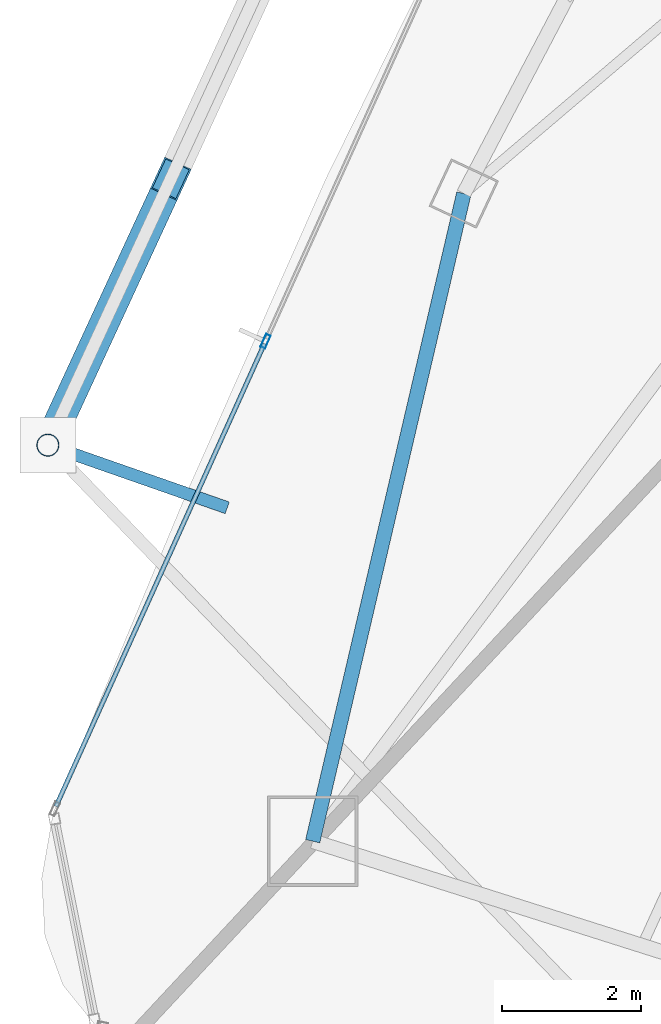
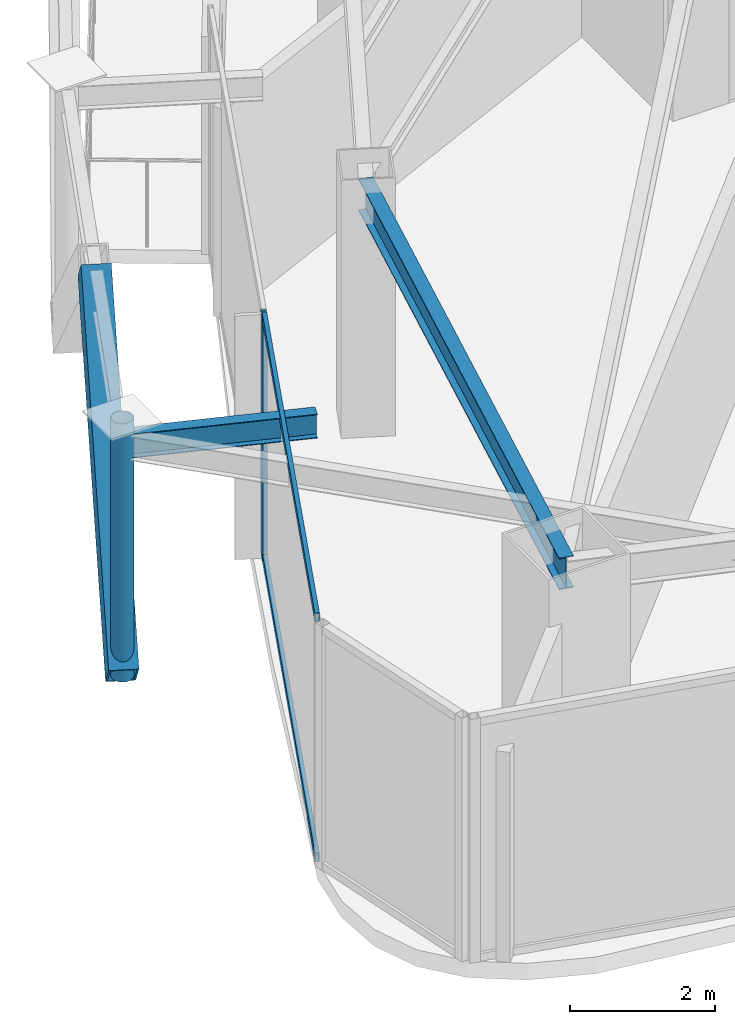
# One storey, part 4 of 25: 5 members, 2 beams, 1 element without a shape of its own.
"""IFC4 building model written with IfcOpenShell, lengths in metres."""

from ifc_helpers import new_model, si_unit, direction, frame, origin, origin_2d, place, context, subcontext, project, spatial, hollow_rectangle, hollow_circle, i_section, extrude, material, layer, layer_set, material_profile, profile_set, type_object, element, aggregate, save


model = new_model("IFC4")

# Units and contexts
model_context = context("Model", 3, precision=1e-05, world=origin(), true_north=direction((0.0, 1.0)))
body_context = subcontext(model_context, "Body", "Model", "MODEL_VIEW")
ifc_project = project(units=[si_unit("LENGTHUNIT", "METRE"), si_unit("AREAUNIT", "SQUARE_METRE"), si_unit("VOLUMEUNIT", "CUBIC_METRE"), si_unit("PLANEANGLEUNIT", "RADIAN"), si_unit("MASSUNIT", "GRAM", prefix="KILO")], contexts=[model_context])

# Site, building, storey
site_placement = place(None, origin())
site = spatial("IfcSite", under=ifc_project, at=site_placement, CompositionType="ELEMENT")
building_placement = place(site_placement, origin())
building = spatial("IfcBuilding", under=site, at=building_placement, Name="Orvanel Arch Residences", CompositionType="ELEMENT")
storey_placement = place(building_placement, frame((0.0, 0.0, 236.0)))
storey = spatial("IfcBuildingStorey", under=building, at=storey_placement, Name="L67", CompositionType="ELEMENT", Elevation=236.0)

# Member
ifc_material_1 = material(Name="Structural steel AS/NZS 3678 Grade 350", Category="steel")
ifc_material_profile_1 = material_profile(ifc_material_1, hollow_rectangle(XDim=0.419921875, YDim=0.719970703125, WallThickness=0.02490234375, at=origin_2d()), Name="RHS720x420x25")
ifc_profile_set_1 = profile_set([ifc_material_profile_1], Name="Structural steel AS/NZS 3678 Grade 350")
member_type_1 = type_object("IfcMemberType", Name="BR-720RHS-EXT", PredefinedType="BRACE", material=ifc_profile_set_1)
member_1_placement = place(storey_placement, frame((10.39990234375, 16.032958984375, 0.0), z_axis=(0.307207209429, 0.665388878325, 0.680353857251), x_axis=(-0.907905046119, 0.419175890566, 0.0)))
element("IfcMember", 1, at=member_1_placement, inside=storey, type_object=member_type_1, Name="L67 Exterior Sky-Garden V-Frame Chevron F1B3.2", PredefinedType="BRACE", context=body_context, shape_type="SweptSolid", body=[
    extrude(hollow_rectangle(XDim=0.419921875, YDim=0.719970703125, WallThickness=0.02490234375, at=origin_2d()), origin(), (0.0, 0.0, 1.0), 5.74267578125),
])

# Curtain wall, member
ifc_material_2 = material(Name="Bronze-anodised aluminium AA6063-T6", Category="aluminium")
ifc_layer = layer(ifc_material_2, 0.195068359375)
ifc_layer_set = layer_set([ifc_layer], Name="Bronze-anodised aluminium AA6063-T6")
curtain_wall_type = type_object("IfcCurtainWallType", Name="CW6-COM-SYS", PredefinedType="NOTDEFINED", material=ifc_layer_set)
curtain_wall_placement = place(storey_placement, origin())
curtain_wall = element("IfcCurtainWall", 2, at=curtain_wall_placement, inside=storey, type_object=curtain_wall_type, Name="L67 CW6-COM-SYS Unitised Curtain Wall", PredefinedType="NOTDEFINED")
ifc_material_profile_2 = material_profile(ifc_material_2, hollow_rectangle(XDim=0.074951171875, YDim=0.199951171875, WallThickness=0.0048828125, at=origin_2d()), Name="ALU200x75x5")
ifc_profile_set_2 = profile_set([ifc_material_profile_2], Name="Bronze-anodised aluminium AA6063-T6")
member_type_2 = type_object("IfcMemberType", Name="MUL-200x75", PredefinedType="MULLION", material=ifc_profile_set_2)
member_2_placement = place(storey_placement, frame((13.5224609375, 17.52294921875, 0.0), z_axis=(0.0, 0.0, 1.0), x_axis=(0.911688579875, -0.410881897052, 0.0)))
member_2 = element("IfcMember", 3, at=member_2_placement, type_object=member_type_2, Name="CW-S6 mullion 2", PredefinedType="MULLION", context=body_context, shape_type="SweptSolid", body=[
    extrude(hollow_rectangle(XDim=0.074951171875, YDim=0.199951171875, WallThickness=0.0048828125, at=origin_2d()), origin(), (0.0, 0.0, 1.0), 4.110107421875),
])

# Beams
ifc_material_3 = material(Name="Structural steel AS/NZS 3679.1 Grade 300 (300 MPa)", Category="steel")
ifc_material_profile_3 = material_profile(ifc_material_3, i_section(OverallWidth=0.177978515625, OverallDepth=0.406005859375, WebThickness=0.0078125, FlangeThickness=0.0126953125, at=origin_2d()), Name="410UB59.7")
ifc_profile_set_3 = profile_set([ifc_material_profile_3], Name="Structural steel AS/NZS 3679.1 Grade 300 (300 MPa)")
beam_type_1 = type_object("IfcBeamType", Name="OB-410UB-EXT", PredefinedType="SPANDREL", material=ifc_profile_set_3)
beam_1_placement = place(storey_placement, frame((12.972900390625, 15.134033203125, 3.906982421875), z_axis=(-0.944043943208, 0.329819698158, 0.0), x_axis=(-0.329819698158, -0.944043943208, 0.0)))
element("IfcBeam", 4, at=beam_1_placement, inside=storey, type_object=beam_type_1, Name="L67 Outer Frame Radial Tie Beam 04", PredefinedType="SPANDREL", context=body_context, shape_type="SweptSolid", body=[
    extrude(i_section(OverallWidth=0.177978515625, OverallDepth=0.406005859375, WebThickness=0.0078125, FlangeThickness=0.0126953125, at=origin_2d()), origin(), (0.0, 0.0, 1.0), 2.7255859375),
])
ifc_material_profile_4 = material_profile(ifc_material_3, i_section(OverallWidth=0.208984375, OverallDepth=0.532958984375, WebThickness=0.01025390625, FlangeThickness=0.015625, at=origin_2d()), Name="530UB92.4")
ifc_profile_set_4 = profile_set([ifc_material_profile_4], Name="Structural steel AS/NZS 3679.1 Grade 300 (300 MPa)")
beam_type_2 = type_object("IfcBeamType", Name="SP-530UB", PredefinedType="SPANDREL", material=ifc_profile_set_4)
beam_2_placement = place(storey_placement, frame((16.366943359375, 19.64208984375, 3.843994140625), z_axis=(-0.227236087167, -0.973839699688, 0.0), x_axis=(0.973839699688, -0.227236087167, 0.0)))
element("IfcBeam", 5, at=beam_2_placement, inside=storey, type_object=beam_type_2, Name="L67 Perimeter Spandrel Beam 01", PredefinedType="SPANDREL", context=body_context, shape_type="SweptSolid", body=[
    extrude(i_section(OverallWidth=0.208984375, OverallDepth=0.532958984375, WebThickness=0.01025390625, FlangeThickness=0.015625, at=origin_2d()), origin(), (0.0, 0.0, 1.0), 9.54052734375),
])

# Member
ifc_material_4 = material(Name="Structural steel AS/NZS 1163 C350L0 (Grade 350)", Category="steel")
ifc_material_profile_5 = material_profile(ifc_material_4, hollow_circle(Radius=0.162109375, WallThickness=0.0126953125, at=origin_2d()), Name="CHS324x12.7")
ifc_profile_set_5 = profile_set([ifc_material_profile_5], Name="Structural steel AS/NZS 1163 C350L0 (Grade 350)")
member_type_3 = type_object("IfcMemberType", Name="ST-324CHS-EXT", PredefinedType="STRUT", material=ifc_profile_set_5)
member_3_placement = place(storey_placement, frame((10.39990234375, 16.032958984375, 0.0), z_axis=(0.0, 0.0, 1.0), x_axis=(1.0, 0.0, 0.0)))
element("IfcMember", 6, at=member_3_placement, inside=storey, type_object=member_type_3, Name="L67 Outer Perimeter Frame Post 04", PredefinedType="STRUT", context=body_context, shape_type="SweptSolid", body=[
    extrude(hollow_circle(Radius=0.162109375, WallThickness=0.0126953125, at=origin_2d()), origin(), (0.0, 0.0, 1.0), 4.35009765625),
])

ifc_material_profile_6 = material_profile(ifc_material_2, hollow_rectangle(XDim=0.06494140625, YDim=0.14990234375, WallThickness=0.00390625, at=origin_2d()), Name="ALU150x65x4")
ifc_profile_set_6 = profile_set([ifc_material_profile_6], Name="Bronze-anodised aluminium AA6063-T6")
member_type_4 = type_object("IfcMemberType", Name="TRN-150x65", PredefinedType="USERDEFINED", material=ifc_profile_set_6)
member_4_placement = place(storey_placement, frame((13.507080078125, 17.48876953125, 0.032470703125), z_axis=(-0.410873401692, -0.911692408536, 0.0), x_axis=(0.911692408536, -0.410873401692, 0.0)))
member_4 = element("IfcMember", 7, at=member_4_placement, type_object=member_type_4, Name="CW-S6 transom 2.1", ObjectType="TRANSOM", PredefinedType="USERDEFINED", context=body_context, shape_type="SweptSolid", body=[
    extrude(hollow_rectangle(XDim=0.06494140625, YDim=0.14990234375, WallThickness=0.00390625, at=origin_2d()), origin(), (0.0, 0.0, 1.0), 7.282470703125),
])

member_5_placement = place(storey_placement, frame((13.507080078125, 17.48876953125, 4.077392578125), z_axis=(-0.410873401692, -0.911692408536, 0.0), x_axis=(0.911692408536, -0.410873401692, 0.0)))
member_5 = element("IfcMember", 8, at=member_5_placement, type_object=member_type_4, Name="CW-S6 transom 2.2", ObjectType="TRANSOM", PredefinedType="USERDEFINED", context=body_context, shape_type="SweptSolid", body=[
    extrude(hollow_rectangle(XDim=0.06494140625, YDim=0.14990234375, WallThickness=0.00390625, at=origin_2d()), origin(), (0.0, 0.0, 1.0), 7.282470703125),
])

aggregate(curtain_wall, [member_2, member_4, member_5])

save(model, "model.ifc")
